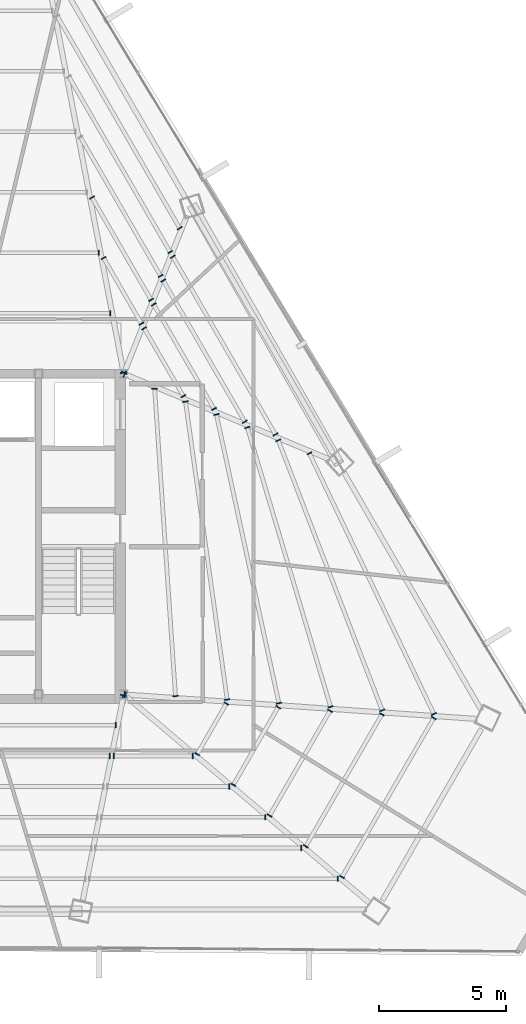
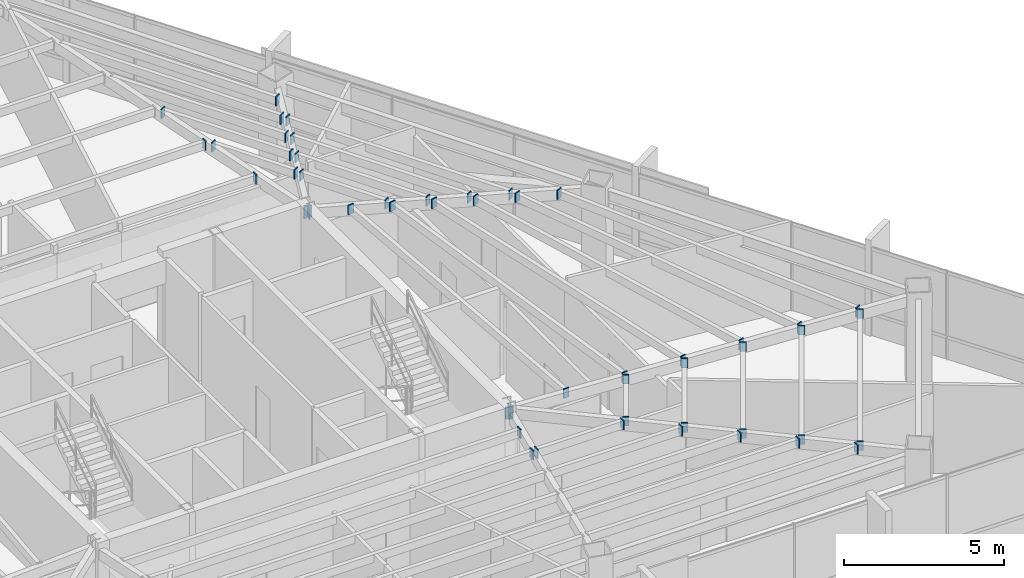
# One storey, part 42 of 49: 53 plates.
"""IFC4 building model written with IfcOpenShell, lengths in metres."""

from ifc_helpers import new_model, si_unit, direction, frame, origin, origin_2d, place, context, subcontext, project, spatial, rectangle, extrude, source, transform, mapped, material, layer, layer_set, type_object, type_shapes, element, save


model = new_model("IFC4")

# Units and contexts
model_context = context("Model", 3, precision=1e-05, world=origin(), true_north=direction((0.0, 1.0)))
body_context = subcontext(model_context, "Body", "Model", "MODEL_VIEW")
ifc_project = project(units=[si_unit("LENGTHUNIT", "METRE"), si_unit("AREAUNIT", "SQUARE_METRE"), si_unit("VOLUMEUNIT", "CUBIC_METRE"), si_unit("PLANEANGLEUNIT", "RADIAN"), si_unit("MASSUNIT", "GRAM", prefix="KILO")], contexts=[model_context])

# Site, building, storey
site_placement = place(None, origin())
site = spatial("IfcSite", under=ifc_project, at=site_placement, CompositionType="ELEMENT")
building_placement = place(site_placement, origin())
building = spatial("IfcBuilding", under=site, at=building_placement, Name="Caelisora Broadcast Tower", CompositionType="ELEMENT")
storey_placement = place(building_placement, frame((0.0, 0.0, 233.5)))
storey = spatial("IfcBuildingStorey", under=building, at=storey_placement, Name="L61", CompositionType="ELEMENT", Elevation=233.5)

# Plates
ifc_material = material(Name="Steel Grade 350 L15 (AS/NZS 3678)", Category="steel")
ifc_layer = layer(ifc_material, 0.0400390625, Name="Steel Grade 350 L15 (AS/NZS 3678)")
ifc_layer_set = layer_set([ifc_layer], Name="Steel Grade 350 L15 (AS/NZS 3678)")
plate_type = type_object("IfcPlateType", Name="GP04", PredefinedType="USERDEFINED", material=ifc_layer_set)
shared_shape_1 = source(origin(), body_context, "Body", "SweptSolid", [
    extrude(rectangle(XDim=0.260009765625, YDim=0.0400390625, at=origin_2d()), origin(), (0.0, 0.0, 1.0), 0.4599609375),
])
for number, where, z_axis, x_axis, name in (
    (1, (45.492431640625, 30.039306640625, 2.969970703125), (0.0, 0.0, 1.0), (-0.98205758823, -0.188581264713, 0.0), "L61 gusset plate GP04 (ND-RAD-L61-01)"),
    (2, (45.4921875, 17.36083984375, 2.969970703125), (0.0, 0.0, 1.0), (0.980751215781, -0.195261498368, 0.0), "L61 gusset plate GP04 (ND-RAD-L61-08)"),
    (3, (45.530517578125, 17.3740234375, 2.969970703125), (0.0, 0.0, 1.0), (0.647055961569, 0.762442511011, 0.0), "L61 gusset plate GP04 (ND-RAD-L61-09)"),
    (4, (45.539794921875, 17.397216796875, 2.969970703125), (0.0, 0.0, 1.0), (0.069408253958, 0.997588339087, 0.0), "L61 gusset plate GP04 (ND-RAD-L61-10)"),
    (5, (45.536865234375, 29.984619140625, 2.969970703125), (0.0, 0.0, 1.0), (0.38429532266, 0.923210217113, 0.0), "L61 gusset plate GP04 (ND-RAD-L61-11)"),
    (6, (45.514892578125, 30.037109375, 2.969970703125), (0.0, 0.0, 1.0), (-0.928550628654, 0.371205778547, 0.0), "L61 gusset plate GP04 (ND-RAD-L61-12)"),
):
    element("IfcPlate", number, at=place(storey_placement, frame(where, z_axis=z_axis, x_axis=x_axis)), inside=storey, type_object=plate_type, Name=name, ObjectType="GUSSET PLATE", PredefinedType="USERDEFINED", context=body_context, shape_type="MappedRepresentation", body=[
        mapped(shared_shape_1, transform((0.0, 0.0, 0.0), scale=1.0)),
    ])
shared_shape_2 = source(origin(), body_context, "Body", "SweptSolid", [
    extrude(rectangle(XDim=0.2099609375, YDim=0.0400390625, at=origin_2d()), origin(), (0.0, 0.0, 1.0), 0.360107421875),
])
type_shapes(plate_type, [shared_shape_1, shared_shape_2])
for number, where, z_axis, x_axis, name in (
    (7, (44.96484375, 32.377197265625, 3.06982421875), (0.0, 0.0, 1.0), (0.0, -1.0, 0.0), "L61 gusset plate GP04 (ND-SB-L61-001A)"),
    (8, (44.508544921875, 34.75439453125, 3.06982421875), (0.0, 0.0, 1.0), (0.0, -1.0, 0.0), "L61 gusset plate GP04 (ND-SB-L61-002A)"),
    (9, (45.1806640625, 16.19287109375, 3.06982421875), (0.0, 0.0, 1.0), (0.0, 1.0, 0.0), "L61 gusset plate GP04 (ND-SB-L61-032B)"),
    (10, (44.9404296875, 14.98583984375, 3.06982421875), (0.0, 0.0, 1.0), (0.0, 1.0, 0.0), "L61 gusset plate GP04 (ND-SB-L61-033B)"),
    (11, (45.098388671875, 14.98583984375, 3.06982421875), (0.0, 0.0, 1.0), (0.0, 1.0, 0.0), "L61 gusset plate GP04 (ND-SB-L61-038A)"),
    (12, (48.212646484375, 14.98583984375, 3.06982421875), (0.0, 0.0, 1.0), (0.0, 1.0, 0.0), "L61 gusset plate GP04 (ND-SB-L61-038B)"),
    (13, (49.634765625, 13.77880859375, 3.06982421875), (0.0, 0.0, 1.0), (0.0, 1.0, 0.0), "L61 gusset plate GP04 (ND-SB-L61-039B)"),
    (14, (51.056884765625, 12.57177734375, 3.06982421875), (0.0, 0.0, 1.0), (0.0, 1.0, 0.0), "L61 gusset plate GP04 (ND-SB-L61-040B)"),
    (15, (52.47900390625, 11.36474609375, 3.06982421875), (0.0, 0.0, 1.0), (0.0, 1.0, 0.0), "L61 gusset plate GP04 (ND-SB-L61-041B)"),
    (16, (53.90087890625, 10.15771484375, 3.06982421875), (0.0, 0.0, 1.0), (0.0, 1.0, 0.0), "L61 gusset plate GP04 (ND-SB-L61-042B)"),
    (17, (48.383544921875, 15.053955078125, 3.06982421875), (0.0, 0.0, 1.0), (-0.866025403784, 0.5, 0.0), "L61 gusset plate GP04 (ND-SB-L61-043A)"),
    (18, (49.5302734375, 17.040283203125, 3.06982421875), (0.0, 0.0, 1.0), (-0.866025403784, 0.5, 0.0), "L61 gusset plate GP04 (ND-SB-L61-043B)"),
    (19, (49.8056640625, 13.846923828125, 3.06982421875), (0.0, 0.0, 1.0), (-0.866025403784, 0.5, 0.0), "L61 gusset plate GP04 (ND-SB-L61-044A)"),
    (20, (51.5673828125, 16.898681640625, 3.06982421875), (0.0, 0.0, 1.0), (-0.866025403784, 0.5, 0.0), "L61 gusset plate GP04 (ND-SB-L61-044B)"),
    (21, (51.2275390625, 12.639892578125, 3.06982421875), (0.0, 0.0, 1.0), (-0.866025403784, 0.5, 0.0), "L61 gusset plate GP04 (ND-SB-L61-045A)"),
    (22, (53.604736328125, 16.757080078125, 3.06982421875), (0.0, 0.0, 1.0), (-0.866025403784, 0.5, 0.0), "L61 gusset plate GP04 (ND-SB-L61-045B)"),
    (23, (52.649658203125, 11.432861328125, 3.06982421875), (0.0, 0.0, 1.0), (-0.866025403784, 0.5, 0.0), "L61 gusset plate GP04 (ND-SB-L61-046A)"),
    (24, (55.641845703125, 16.615478515625, 3.06982421875), (0.0, 0.0, 1.0), (-0.866025403784, 0.5, 0.0), "L61 gusset plate GP04 (ND-SB-L61-046B)"),
    (25, (54.07177734375, 10.2255859375, 3.06982421875), (0.0, 0.0, 1.0), (-0.866025403784, 0.5, 0.0), "L61 gusset plate GP04 (ND-SB-L61-047A)"),
    (26, (57.67919921875, 16.473876953125, 3.06982421875), (0.0, 0.0, 1.0), (-0.866025403784, 0.5, 0.0), "L61 gusset plate GP04 (ND-SB-L61-047B)"),
    (27, (47.531982421875, 17.336181640625, 3.06982421875), (0.0, 0.0, 1.0), (-0.997707959868, -0.067667029017, 0.0), "L61 gusset plate GP04 (ND-SB-L61-048A)"),
    (28, (46.7119140625, 29.409423828125, 3.06982421875), (0.0, 0.0, 1.0), (-0.997707959868, -0.067667029017, 0.0), "L61 gusset plate GP04 (ND-SB-L61-048B)"),
    (29, (49.5634765625, 17.1953125, 3.06982421875), (0.0, 0.0, 1.0), (-0.99034080386, -0.138654578758, 0.0), "L61 gusset plate GP04 (ND-SB-L61-049A)"),
    (30, (47.925048828125, 28.90380859375, 3.06982421875), (0.0, 0.0, 1.0), (-0.99034080386, -0.138654578758, 0.0), "L61 gusset plate GP04 (ND-SB-L61-049B)"),
    (31, (51.594482421875, 17.054443359375, 3.06982421875), (0.0, 0.0, 1.0), (-0.977378996264, -0.211495384491, 0.0), "L61 gusset plate GP04 (ND-SB-L61-050A)"),
    (32, (49.138916015625, 28.3974609375, 3.06982421875), (0.0, 0.0, 1.0), (-0.977378996264, -0.211495384491, 0.0), "L61 gusset plate GP04 (ND-SB-L61-050B)"),
    (33, (53.625, 16.913818359375, 3.06982421875), (0.0, 0.0, 1.0), (-0.958372421895, -0.285521104212, 0.0), "L61 gusset plate GP04 (ND-SB-L61-051A)"),
    (34, (50.3544921875, 27.890380859375, 3.06982421875), (0.0, 0.0, 1.0), (-0.958372421895, -0.285521104212, 0.0), "L61 gusset plate GP04 (ND-SB-L61-051B)"),
    (35, (55.654541015625, 16.7734375, 3.06982421875), (0.0, 0.0, 1.0), (-0.933267336023, -0.359182515599, 0.0), "L61 gusset plate GP04 (ND-SB-L61-052A)"),
    (36, (51.571533203125, 27.382568359375, 3.06982421875), (0.0, 0.0, 1.0), (-0.933267336023, -0.359182515599, 0.0), "L61 gusset plate GP04 (ND-SB-L61-052B)"),
    (37, (57.68359375, 16.63330078125, 3.06982421875), (0.0, 0.0, 1.0), (-0.902284510975, -0.431141115244, 0.0), "L61 gusset plate GP04 (ND-SB-L61-053A)"),
    (38, (52.790771484375, 26.87353515625, 3.06982421875), (0.0, 0.0, 1.0), (-0.902284510975, -0.431141115244, 0.0), "L61 gusset plate GP04 (ND-SB-L61-053B)"),
    (39, (47.84130859375, 29.11865234375, 3.06982421875), (0.0, 0.0, 1.0), (-0.866025403784, -0.5, 0.0), "L61 gusset plate GP04 (ND-SB-L61-054A)"),
    (40, (46.302001953125, 31.784912109375, 3.06982421875), (0.0, 0.0, 1.0), (-0.866025403784, -0.5, 0.0), "L61 gusset plate GP04 (ND-SB-L61-054B)"),
    (41, (49.04736328125, 28.61669921875, 3.06982421875), (0.0, 0.0, 1.0), (-0.866025403784, -0.5, 0.0), "L61 gusset plate GP04 (ND-SB-L61-055A)"),
    (42, (46.6767578125, 32.72265625, 3.06982421875), (0.0, 0.0, 1.0), (-0.866025403784, -0.5, 0.0), "L61 gusset plate GP04 (ND-SB-L61-055B)"),
    (43, (50.25341796875, 28.114501953125, 3.06982421875), (0.0, 0.0, 1.0), (-0.866025403784, -0.5, 0.0), "L61 gusset plate GP04 (ND-SB-L61-056A)"),
    (44, (47.051513671875, 33.66015625, 3.06982421875), (0.0, 0.0, 1.0), (-0.866025403784, -0.5, 0.0), "L61 gusset plate GP04 (ND-SB-L61-056B)"),
    (45, (51.459228515625, 27.612548828125, 3.06982421875), (0.0, 0.0, 1.0), (-0.866025403784, -0.5, 0.0), "L61 gusset plate GP04 (ND-SB-L61-057A)"),
    (46, (47.426513671875, 34.597900390625, 3.06982421875), (0.0, 0.0, 1.0), (-0.866025403784, -0.5, 0.0), "L61 gusset plate GP04 (ND-SB-L61-057B)"),
    (47, (46.197509765625, 31.965576171875, 3.06982421875), (0.0, 0.0, 1.0), (-0.866025403784, -0.5, 0.0), "L61 gusset plate GP04 (ND-SB-L61-058A)"),
    (48, (44.70751953125, 34.54638671875, 3.06982421875), (0.0, 0.0, 1.0), (-0.866025403784, -0.5, 0.0), "L61 gusset plate GP04 (ND-SB-L61-058B)"),
    (49, (46.572509765625, 32.9033203125, 3.06982421875), (0.0, 0.0, 1.0), (-0.866025403784, -0.5, 0.0), "L61 gusset plate GP04 (ND-SB-L61-059A)"),
    (50, (44.251220703125, 36.923828125, 3.06982421875), (0.0, 0.0, 1.0), (-0.866025403784, -0.5, 0.0), "L61 gusset plate GP04 (ND-SB-L61-059B)"),
    (51, (46.947265625, 33.8408203125, 3.06982421875), (0.0, 0.0, 1.0), (-0.866025403784, -0.5, 0.0), "L61 gusset plate GP04 (ND-SB-L61-060A)"),
    (52, (47.322021484375, 34.778564453125, 3.06982421875), (0.0, 0.0, 1.0), (-0.866025403784, -0.5, 0.0), "L61 gusset plate GP04 (ND-SB-L61-061A)"),
    (53, (47.697021484375, 35.716064453125, 3.06982421875), (0.0, 0.0, 1.0), (-0.866025403784, -0.5, 0.0), "L61 gusset plate GP04 (ND-SB-L61-062A)"),
):
    element("IfcPlate", number, at=place(storey_placement, frame(where, z_axis=z_axis, x_axis=x_axis)), inside=storey, type_object=plate_type, Name=name, ObjectType="GUSSET PLATE", PredefinedType="USERDEFINED", context=body_context, shape_type="MappedRepresentation", body=[
        mapped(shared_shape_2, transform((0.0, 0.0, 0.0), scale=1.0)),
    ])

save(model, "model.ifc")
